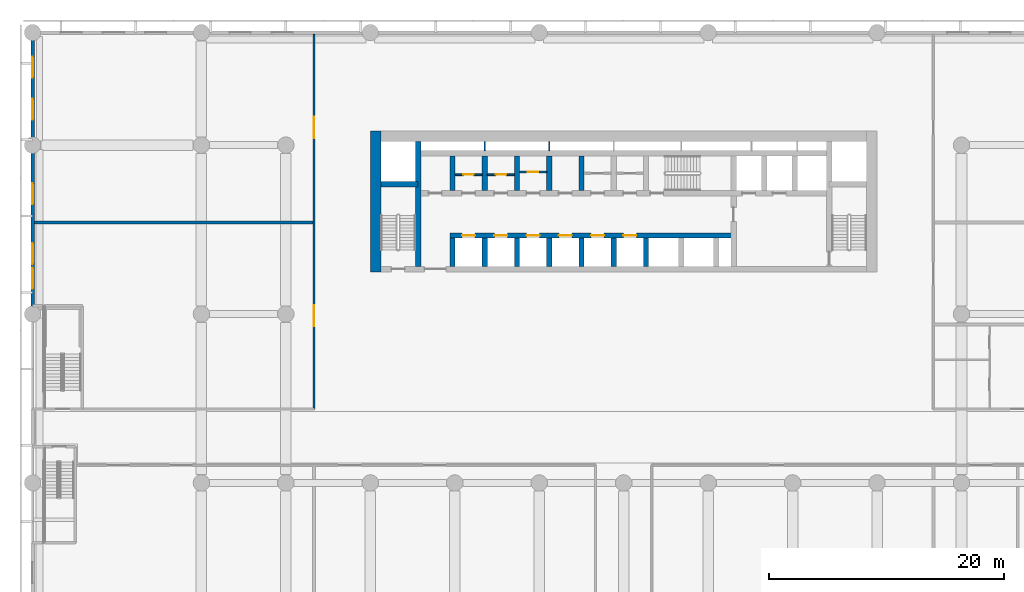
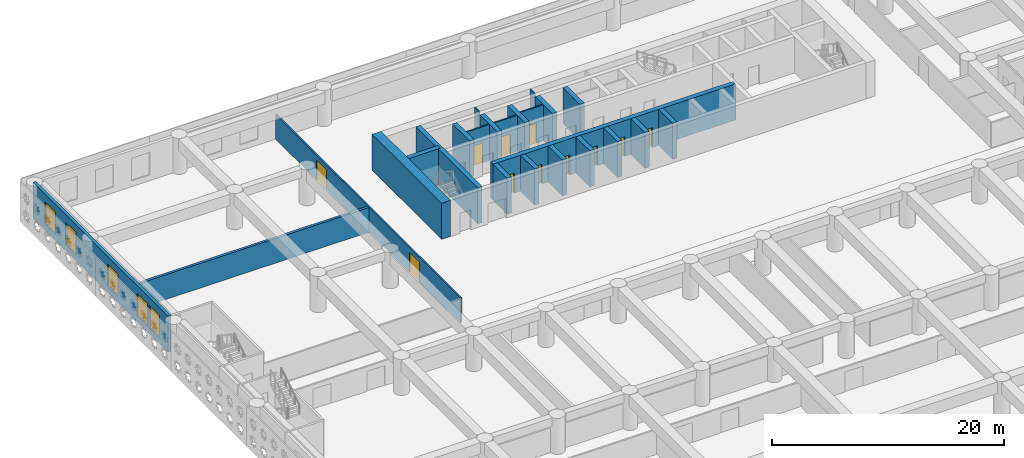
# One storey, part 7 of 24: 24 walls, 11 doors, 5 windows, 16 openings.
"""IFC4 building model written with IfcOpenShell, lengths in metres."""

from ifc_helpers import new_model, si_unit, direction, frame, frame_2d, origin, place, context, subcontext, project, spatial, rectangle, extrude, material, layer, layer_set, type_object, element, fill, save


model = new_model("IFC4")

# Units and contexts
model_context = context("Model", 3, precision=1e-05, world=origin(), true_north=direction((0.0, 1.0)))
body_context = subcontext(model_context, "Body", "Model", "MODEL_VIEW")
ifc_project = project(units=[si_unit("LENGTHUNIT", "METRE"), si_unit("AREAUNIT", "SQUARE_METRE"), si_unit("VOLUMEUNIT", "CUBIC_METRE"), si_unit("PLANEANGLEUNIT", "RADIAN"), si_unit("MASSUNIT", "GRAM", prefix="KILO")], contexts=[model_context])

# Site, building, storey
site_placement = place(None, origin())
site = spatial("IfcSite", under=ifc_project, at=site_placement, CompositionType="ELEMENT")
building_placement = place(site_placement, origin())
building = spatial("IfcBuilding", under=site, at=building_placement, Name="Saffron Iwan Residences", CompositionType="ELEMENT")
storey_placement = place(building_placement, frame((0.0, 0.0, 13.199951171875)))
storey = spatial("IfcBuildingStorey", under=building, at=storey_placement, Name="L02", CompositionType="ELEMENT", Elevation=13.199951171875)

# Wall, openings, doors
ifc_material_1 = material(Name="Concrete blockwork", Category="masonry")
ifc_layer_1 = layer(ifc_material_1, 0.14990234375)
ifc_layer_set_1 = layer_set([ifc_layer_1], Name="Concrete blockwork")
wall_type_1 = type_object("IfcWallType", Name="Blockwork partition 150", PredefinedType="PARTITIONING", material=ifc_layer_set_1)
wall_1_placement = place(storey_placement, frame((24.0, 54.300048828125, 0.0), z_axis=(0.0, 0.0, 1.0), x_axis=(0.0, 1.0, 0.0)))
wall_1 = element("IfcWall", 1, at=wall_1_placement, inside=storey, type_object=wall_type_1, Name="W-L02-029", PredefinedType="PARTITIONING", context=body_context, shape_type="SweptSolid", body=[
    extrude(rectangle(XDim=31.949951171875, YDim=0.14990234375, at=frame_2d((15.97509765625, 0.0))), origin(), (0.0, 0.0, 1.0), 2.60009765625),
])
opening_1_placement = place(wall_1_placement, frame((7.050048828125, 0.0, 0.0)))
opening_1 = element("IfcOpeningElement", 2, at=opening_1_placement, cuts=wall_1, Name="Opening L02.18", PredefinedType="OPENING", context=body_context, shape_type="SweptSolid", body=[
    extrude(rectangle(XDim=1.800048828125, YDim=2.10009765625, at=frame_2d((0.89990234375, 1.050048828125))), frame((0.0, 0.0849609375, 0.0), z_axis=(0.0, -1.0, 0.0), x_axis=(1.0, 0.0, 0.0)), (0.0, 0.0, 1.0), 0.169921875),
])
opening_2_placement = place(wall_1_placement, frame((23.10009765625, 0.0, 0.0)))
opening_2 = element("IfcOpeningElement", 3, at=opening_2_placement, cuts=wall_1, Name="Opening L02.19", PredefinedType="OPENING", context=body_context, shape_type="SweptSolid", body=[
    extrude(rectangle(XDim=1.800048828125, YDim=2.10009765625, at=frame_2d((0.89990234375, 1.050048828125))), frame((0.0, 0.0849609375, 0.0), z_axis=(0.0, -1.0, 0.0), x_axis=(1.0, 0.0, 0.0)), (0.0, 0.0, 1.0), 0.169921875),
])
ifc_material_2 = material(Name="Timber", Category="wood")
door_type_1 = type_object("IfcDoorType", Name="Door 1800x2100", OperationType="DOUBLE_DOOR_SINGLE_SWING", PredefinedType="DOOR", material=ifc_material_2)
door_1_placement = place(opening_1_placement, origin())
door_1 = element("IfcDoor", 4, at=door_1_placement, inside=storey, type_object=door_type_1, Name="D-L02-018", OperationType="DOUBLE_DOOR_SINGLE_SWING", OverallHeight=2.10009765625, OverallWidth=1.800048828125, PredefinedType="DOOR", context=body_context, shape_type="SweptSolid", body=[
    extrude(rectangle(XDim=1.800048828125, YDim=2.10009765625, at=frame_2d((0.89990234375, 1.050048828125))), frame((0.0, 0.02490234375, 0.0), z_axis=(0.0, -1.0, 0.0), x_axis=(1.0, 0.0, 0.0)), (0.0, 0.0, 1.0), 0.050048828125),
])
fill(opening_1, door_1)
door_2_placement = place(opening_2_placement, origin())
door_2 = element("IfcDoor", 5, at=door_2_placement, inside=storey, type_object=door_type_1, Name="D-L02-019", OperationType="DOUBLE_DOOR_SINGLE_SWING", OverallHeight=2.10009765625, OverallWidth=1.800048828125, PredefinedType="DOOR", context=body_context, shape_type="SweptSolid", body=[
    extrude(rectangle(XDim=1.800048828125, YDim=2.10009765625, at=frame_2d((0.89990234375, 1.050048828125))), frame((0.0, 0.02490234375, 0.0), z_axis=(0.0, -1.0, 0.0), x_axis=(1.0, 0.0, 0.0)), (0.0, 0.0, 1.0), 0.050048828125),
])
fill(opening_2, door_2)

# Wall, opening, door
ifc_material_3 = material(Name="Fire-rated plasterboard partition")
ifc_layer_2 = layer(ifc_material_3, 0.14990234375)
ifc_layer_set_2 = layer_set([ifc_layer_2], Name="Fire-rated plasterboard partition")
wall_type_2 = type_object("IfcWallType", Name="Core partition 150", PredefinedType="PARTITIONING", material=ifc_layer_set_2)
wall_2_placement = place(storey_placement, frame((36.02490234375, 74.281982421875, 0.0), z_axis=(0.0, 0.0, 1.0), x_axis=(1.0, 0.0, 0.0)))
wall_2 = element("IfcWall", 6, at=wall_2_placement, inside=storey, type_object=wall_type_2, Name="Core partition P01", PredefinedType="PARTITIONING", context=body_context, shape_type="SweptSolid", body=[
    extrude(rectangle(XDim=2.300048828125, YDim=0.14990234375, at=frame_2d((1.14990234375, 0.0))), origin(), (0.0, 0.0, 1.0), 3.800048828125),
])
opening_3_placement = place(wall_2_placement, frame((0.699951171875, 0.0, 0.0)))
opening_3 = element("IfcOpeningElement", 7, at=opening_3_placement, cuts=wall_2, Name="Opening SB", PredefinedType="OPENING", context=body_context, shape_type="SweptSolid", body=[
    extrude(rectangle(XDim=0.89990234375, YDim=2.10009765625, at=frame_2d((0.449951171875, 1.050048828125))), frame((0.0, 0.0849609375, 0.0), z_axis=(0.0, -1.0, 0.0), x_axis=(1.0, 0.0, 0.0)), (0.0, 0.0, 1.0), 0.169921875),
])
ifc_material_4 = material(Name="Steel fire door", Category="steel")
door_type_2 = type_object("IfcDoorType", Name="Store door 900", OperationType="NOTDEFINED", PredefinedType="DOOR", material=ifc_material_4)
door_3_placement = place(opening_3_placement, origin())
door_3 = element("IfcDoor", 8, at=door_3_placement, inside=storey, type_object=door_type_2, Name="Door Tool store", OperationType="SINGLE_SWING_LEFT", OverallHeight=2.10009765625, OverallWidth=0.89990234375, PredefinedType="DOOR", context=body_context, shape_type="SweptSolid", body=[
    extrude(rectangle(XDim=0.89990234375, YDim=2.10009765625, at=frame_2d((0.449951171875, 1.050048828125))), frame((0.0, 0.02490234375, 0.0), z_axis=(0.0, -1.0, 0.0), x_axis=(1.0, 0.0, 0.0)), (0.0, 0.0, 1.0), 0.050048828125),
])
fill(opening_3, door_3)

wall_3_placement = place(storey_placement, frame((38.77490234375, 74.281982421875, 0.0), z_axis=(0.0, 0.0, 1.0), x_axis=(1.0, 0.0, 0.0)))
wall_3 = element("IfcWall", 9, at=wall_3_placement, inside=storey, type_object=wall_type_2, Name="Core partition P02", PredefinedType="PARTITIONING", context=body_context, shape_type="SweptSolid", body=[
    extrude(rectangle(XDim=2.300048828125, YDim=0.14990234375, at=frame_2d((1.14990234375, 0.0))), origin(), (0.0, 0.0, 1.0), 3.800048828125),
])
opening_4_placement = place(wall_3_placement, frame((0.699951171875, 0.0, 0.0)))
opening_4 = element("IfcOpeningElement", 10, at=opening_4_placement, cuts=wall_3, Name="Opening SB", PredefinedType="OPENING", context=body_context, shape_type="SweptSolid", body=[
    extrude(rectangle(XDim=0.89990234375, YDim=2.10009765625, at=frame_2d((0.449951171875, 1.050048828125))), frame((0.0, 0.0849609375, 0.0), z_axis=(0.0, -1.0, 0.0), x_axis=(1.0, 0.0, 0.0)), (0.0, 0.0, 1.0), 0.169921875),
])
door_4_placement = place(opening_4_placement, origin())
door_4 = element("IfcDoor", 11, at=door_4_placement, inside=storey, type_object=door_type_2, Name="Door Cabling room", OperationType="SINGLE_SWING_RIGHT", OverallHeight=2.10009765625, OverallWidth=0.89990234375, PredefinedType="DOOR", context=body_context, shape_type="SweptSolid", body=[
    extrude(rectangle(XDim=0.89990234375, YDim=2.10009765625, at=frame_2d((0.449951171875, 1.050048828125))), frame((0.0, 0.02490234375, 0.0), z_axis=(0.0, -1.0, 0.0), x_axis=(1.0, 0.0, 0.0)), (0.0, 0.0, 1.0), 0.050048828125),
])
fill(opening_4, door_4)

wall_4_placement = place(storey_placement, frame((41.52490234375, 74.51806640625, 0.0), z_axis=(0.0, 0.0, 1.0), x_axis=(1.0, 0.0, 0.0)))
wall_4 = element("IfcWall", 12, at=wall_4_placement, inside=storey, type_object=wall_type_2, Name="Core partition P03", PredefinedType="PARTITIONING", context=body_context, shape_type="SweptSolid", body=[
    extrude(rectangle(XDim=2.300048828125, YDim=0.14990234375, at=frame_2d((1.14990234375, 0.0))), origin(), (0.0, 0.0, 1.0), 3.800048828125),
])
opening_5_placement = place(wall_4_placement, frame((0.699951171875, 0.0, 0.0)))
opening_5 = element("IfcOpeningElement", 13, at=opening_5_placement, cuts=wall_4, Name="Opening SB", PredefinedType="OPENING", context=body_context, shape_type="SweptSolid", body=[
    extrude(rectangle(XDim=0.89990234375, YDim=2.10009765625, at=frame_2d((0.449951171875, 1.050048828125))), frame((0.0, 0.0849609375, 0.0), z_axis=(0.0, -1.0, 0.0), x_axis=(1.0, 0.0, 0.0)), (0.0, 0.0, 1.0), 0.169921875),
])
door_5_placement = place(opening_5_placement, origin())
door_5 = element("IfcDoor", 14, at=door_5_placement, inside=storey, type_object=door_type_2, Name="Door Equipment store", OperationType="SINGLE_SWING_RIGHT", OverallHeight=2.10009765625, OverallWidth=0.89990234375, PredefinedType="DOOR", context=body_context, shape_type="SweptSolid", body=[
    extrude(rectangle(XDim=0.89990234375, YDim=2.10009765625, at=frame_2d((0.449951171875, 1.050048828125))), frame((0.0, 0.02490234375, 0.0), z_axis=(0.0, -1.0, 0.0), x_axis=(1.0, 0.0, 0.0)), (0.0, 0.0, 1.0), 0.050048828125),
])
fill(opening_5, door_5)

# Wall
ifc_material_5 = material(Name="Concrete C40/50", Category="concrete")
ifc_layer_3 = layer(ifc_material_5, 0.25)
ifc_layer_set_3 = layer_set([ifc_layer_3], Name="Concrete C40/50")
wall_type_3 = type_object("IfcWallType", Name="Fire compartment wall 250", PredefinedType="SOLIDWALL", material=ifc_layer_set_3)
wall_5_placement = place(storey_placement, frame((0.14990234375, 70.199951171875, 0.0), z_axis=(0.0, 0.0, 1.0), x_axis=(1.0, 0.0, 0.0)))
element("IfcWall", 15, at=wall_5_placement, inside=storey, type_object=wall_type_3, Name="W-L02-019", PredefinedType="SOLIDWALL", context=body_context, shape_type="SweptSolid", body=[
    extrude(rectangle(XDim=23.775146484375, YDim=0.25, at=frame_2d((11.8876953125, 0.0))), origin(), (0.0, 0.0, 1.0), 2.60009765625),
])

# Wall, openings, windows
ifc_material_6 = material(Name="Precast concrete C40/50", Category="concrete")
ifc_layer_4 = layer(ifc_material_6, 0.300048828125)
ifc_layer_set_4 = layer_set([ifc_layer_4], Name="Precast concrete C40/50")
wall_type_4 = type_object("IfcWallType", Name="Podium external wall 300", PredefinedType="SOLIDWALL", material=ifc_layer_set_4)
wall_6_placement = place(storey_placement, frame((0.0, 63.10009765625, 0.0), z_axis=(0.0, 0.0, 1.0), x_axis=(0.0, 1.0, 0.0)))
wall_6 = element("IfcWall", 16, at=wall_6_placement, inside=storey, type_object=wall_type_4, Name="W-L02-024", PredefinedType="SOLIDWALL", context=body_context, shape_type="SweptSolid", body=[
    extrude(rectangle(XDim=23.2998046875, YDim=0.300048828125, at=frame_2d((11.64990234375, 0.0))), origin(), (0.0, 0.0, 1.0), 3.800048828125),
])
opening_6_placement = place(wall_6_placement, frame((1.449951171875, 0.0, 0.60009765625)))
opening_6 = element("IfcOpeningElement", 17, at=opening_6_placement, cuts=wall_6, Name="Opening W7", PredefinedType="OPENING", context=body_context, shape_type="SweptSolid", body=[
    extrude(rectangle(XDim=1.800048828125, YDim=2.39990234375, at=frame_2d((0.89990234375, 1.199951171875))), frame((0.0, 0.16015625, 0.0), z_axis=(0.0, -1.0, 0.0), x_axis=(1.0, 0.0, 0.0)), (0.0, 0.0, 1.0), 0.320068359375),
])
opening_7_placement = place(wall_6_placement, frame((3.550048828125, 0.0, 0.60009765625)))
opening_7 = element("IfcOpeningElement", 18, at=opening_7_placement, cuts=wall_6, Name="Opening W7", PredefinedType="OPENING", context=body_context, shape_type="SweptSolid", body=[
    extrude(rectangle(XDim=1.800048828125, YDim=2.39990234375, at=frame_2d((0.89990234375, 1.199951171875))), frame((0.0, 0.16015625, 0.0), z_axis=(0.0, -1.0, 0.0), x_axis=(1.0, 0.0, 0.0)), (0.0, 0.0, 1.0), 0.320068359375),
])
opening_8_placement = place(wall_6_placement, frame((8.64990234375, 0.0, 0.60009765625)))
opening_8 = element("IfcOpeningElement", 19, at=opening_8_placement, cuts=wall_6, Name="Opening W7", PredefinedType="OPENING", context=body_context, shape_type="SweptSolid", body=[
    extrude(rectangle(XDim=1.800048828125, YDim=2.39990234375, at=frame_2d((0.89990234375, 1.199951171875))), frame((0.0, 0.16015625, 0.0), z_axis=(0.0, -1.0, 0.0), x_axis=(1.0, 0.0, 0.0)), (0.0, 0.0, 1.0), 0.320068359375),
])
opening_9_placement = place(wall_6_placement, frame((15.85009765625, 0.0, 0.60009765625)))
opening_9 = element("IfcOpeningElement", 20, at=opening_9_placement, cuts=wall_6, Name="Opening W7", PredefinedType="OPENING", context=body_context, shape_type="SweptSolid", body=[
    extrude(rectangle(XDim=1.800048828125, YDim=2.39990234375, at=frame_2d((0.89990234375, 1.199951171875))), frame((0.0, 0.16015625, 0.0), z_axis=(0.0, -1.0, 0.0), x_axis=(1.0, 0.0, 0.0)), (0.0, 0.0, 1.0), 0.320068359375),
])
opening_10_placement = place(wall_6_placement, frame((19.449951171875, 0.0, 0.60009765625)))
opening_10 = element("IfcOpeningElement", 21, at=opening_10_placement, cuts=wall_6, Name="Opening W7", PredefinedType="OPENING", context=body_context, shape_type="SweptSolid", body=[
    extrude(rectangle(XDim=1.800048828125, YDim=2.39990234375, at=frame_2d((0.89990234375, 1.199951171875))), frame((0.0, 0.16015625, 0.0), z_axis=(0.0, -1.0, 0.0), x_axis=(1.0, 0.0, 0.0)), (0.0, 0.0, 1.0), 0.320068359375),
])
ifc_material_7 = material(Name="Clear glass, laminated double glazed", Category="glass")
window_type = type_object("IfcWindowType", Name="WINDOW 1800 x 2400 PODIUM", PartitioningType="DOUBLE_PANEL_VERTICAL", PredefinedType="WINDOW", material=ifc_material_7)
window_1_placement = place(opening_6_placement, origin())
window_1 = element("IfcWindow", 22, at=window_1_placement, inside=storey, type_object=window_type, Name="Window L02 W-L02-024.0", OverallHeight=2.39990234375, OverallWidth=1.800048828125, PartitioningType="DOUBLE_PANEL_VERTICAL", PredefinedType="WINDOW", context=body_context, shape_type="SweptSolid", body=[
    extrude(rectangle(XDim=1.800048828125, YDim=2.39990234375, at=frame_2d((0.89990234375, 1.199951171875))), frame((0.0, 0.030029296875, 0.0), z_axis=(0.0, -1.0, 0.0), x_axis=(1.0, 0.0, 0.0)), (0.0, 0.0, 1.0), 0.06005859375),
])
fill(opening_6, window_1)
window_2_placement = place(opening_7_placement, origin())
window_2 = element("IfcWindow", 23, at=window_2_placement, inside=storey, type_object=window_type, Name="Window L02 W-L02-024.1", OverallHeight=2.39990234375, OverallWidth=1.800048828125, PartitioningType="DOUBLE_PANEL_VERTICAL", PredefinedType="WINDOW", context=body_context, shape_type="SweptSolid", body=[
    extrude(rectangle(XDim=1.800048828125, YDim=2.39990234375, at=frame_2d((0.89990234375, 1.199951171875))), frame((0.0, 0.030029296875, 0.0), z_axis=(0.0, -1.0, 0.0), x_axis=(1.0, 0.0, 0.0)), (0.0, 0.0, 1.0), 0.06005859375),
])
fill(opening_7, window_2)
window_3_placement = place(opening_8_placement, origin())
window_3 = element("IfcWindow", 24, at=window_3_placement, inside=storey, type_object=window_type, Name="Window L02 W-L02-024.2", OverallHeight=2.39990234375, OverallWidth=1.800048828125, PartitioningType="DOUBLE_PANEL_VERTICAL", PredefinedType="WINDOW", context=body_context, shape_type="SweptSolid", body=[
    extrude(rectangle(XDim=1.800048828125, YDim=2.39990234375, at=frame_2d((0.89990234375, 1.199951171875))), frame((0.0, 0.030029296875, 0.0), z_axis=(0.0, -1.0, 0.0), x_axis=(1.0, 0.0, 0.0)), (0.0, 0.0, 1.0), 0.06005859375),
])
fill(opening_8, window_3)
window_4_placement = place(opening_9_placement, origin())
window_4 = element("IfcWindow", 25, at=window_4_placement, inside=storey, type_object=window_type, Name="Window L02 W-L02-024.3", OverallHeight=2.39990234375, OverallWidth=1.800048828125, PartitioningType="DOUBLE_PANEL_VERTICAL", PredefinedType="WINDOW", context=body_context, shape_type="SweptSolid", body=[
    extrude(rectangle(XDim=1.800048828125, YDim=2.39990234375, at=frame_2d((0.89990234375, 1.199951171875))), frame((0.0, 0.030029296875, 0.0), z_axis=(0.0, -1.0, 0.0), x_axis=(1.0, 0.0, 0.0)), (0.0, 0.0, 1.0), 0.06005859375),
])
fill(opening_9, window_4)
window_5_placement = place(opening_10_placement, origin())
window_5 = element("IfcWindow", 26, at=window_5_placement, inside=storey, type_object=window_type, Name="Window L02 W-L02-024.4", OverallHeight=2.39990234375, OverallWidth=1.800048828125, PartitioningType="DOUBLE_PANEL_VERTICAL", PredefinedType="WINDOW", context=body_context, shape_type="SweptSolid", body=[
    extrude(rectangle(XDim=1.800048828125, YDim=2.39990234375, at=frame_2d((0.89990234375, 1.199951171875))), frame((0.0, 0.030029296875, 0.0), z_axis=(0.0, -1.0, 0.0), x_axis=(1.0, 0.0, 0.0)), (0.0, 0.0, 1.0), 0.06005859375),
])
fill(opening_10, window_5)

# Walls
ifc_layer_5 = layer(ifc_material_3, 0.10009765625)
ifc_layer_set_5 = layer_set([ifc_layer_5], Name="Fire-rated plasterboard partition")
wall_type_5 = type_object("IfcWallType", Name="Riser partition 100", PredefinedType="PARTITIONING", material=ifc_layer_set_5)
for number, where, z_axis, x_axis, name in (
    (27, (38.550048828125, 76.324951171875, 0.0), (0.0, 0.0, 1.0), (0.0, 1.0, 0.0), "Core partition P06"),
    (28, (44.050048828125, 76.324951171875, 0.0), (0.0, 0.0, 1.0), (0.0, 1.0, 0.0), "Core partition P07"),
):
    element("IfcWall", number, at=place(storey_placement, frame(where, z_axis=z_axis, x_axis=x_axis)), inside=storey, type_object=wall_type_5, Name=name, PredefinedType="PARTITIONING", context=body_context, shape_type="SweptSolid", body=[
        extrude(rectangle(XDim=0.775146484375, YDim=0.10009765625, at=frame_2d((0.3876953125, 0.0))), origin(), (0.0, 0.0, 1.0), 3.800048828125),
    ])

# Wall, openings, doors
ifc_material_8 = material(Name="Concrete C60/75", Category="concrete")
ifc_layer_6 = layer(ifc_material_8, 0.449951171875)
ifc_layer_set_6 = layer_set([ifc_layer_6], Name="Concrete C60/75")
wall_type_6 = type_object("IfcWallType", Name="WALL CORE 450 C60/75 3800 HIGH", PredefinedType="SHEAR", material=ifc_layer_set_6)
wall_7_placement = place(storey_placement, frame((35.574951171875, 69.10009765625, 0.0), z_axis=(0.0, 0.0, 1.0), x_axis=(1.0, 0.0, 0.0)))
wall_7 = element("IfcWall", 29, at=wall_7_placement, inside=storey, type_object=wall_type_6, Name="Core wall", PredefinedType="SHEAR", context=body_context, shape_type="SweptSolid", body=[
    extrude(rectangle(XDim=24.199951171875, YDim=0.449951171875, at=frame_2d((12.10009765625, 0.0))), origin(), (0.0, 0.0, 1.0), 3.800048828125),
])
opening_11_placement = place(wall_7_placement, frame((1.050048828125, 0.0, 0.0)))
opening_11 = element("IfcOpeningElement", 30, at=opening_11_placement, cuts=wall_7, Name="Opening LD", PredefinedType="OPENING", context=body_context, shape_type="SweptSolid", body=[
    extrude(rectangle(XDim=1.10009765625, YDim=2.10009765625, at=frame_2d((0.550048828125, 1.050048828125))), frame((0.0, 0.23486328125, 0.0), z_axis=(0.0, -1.0, 0.0), x_axis=(1.0, 0.0, 0.0)), (0.0, 0.0, 1.0), 0.469970703125),
])
opening_12_placement = place(wall_7_placement, frame((3.800048828125, 0.0, 0.0)))
opening_12 = element("IfcOpeningElement", 31, at=opening_12_placement, cuts=wall_7, Name="Opening LD", PredefinedType="OPENING", context=body_context, shape_type="SweptSolid", body=[
    extrude(rectangle(XDim=1.10009765625, YDim=2.10009765625, at=frame_2d((0.550048828125, 1.050048828125))), frame((0.0, 0.23486328125, 0.0), z_axis=(0.0, -1.0, 0.0), x_axis=(1.0, 0.0, 0.0)), (0.0, 0.0, 1.0), 0.469970703125),
])
opening_13_placement = place(wall_7_placement, frame((6.550048828125, 0.0, 0.0)))
opening_13 = element("IfcOpeningElement", 32, at=opening_13_placement, cuts=wall_7, Name="Opening LD", PredefinedType="OPENING", context=body_context, shape_type="SweptSolid", body=[
    extrude(rectangle(XDim=1.10009765625, YDim=2.10009765625, at=frame_2d((0.550048828125, 1.050048828125))), frame((0.0, 0.23486328125, 0.0), z_axis=(0.0, -1.0, 0.0), x_axis=(1.0, 0.0, 0.0)), (0.0, 0.0, 1.0), 0.469970703125),
])
opening_14_placement = place(wall_7_placement, frame((9.300048828125, 0.0, 0.0)))
opening_14 = element("IfcOpeningElement", 33, at=opening_14_placement, cuts=wall_7, Name="Opening LD", PredefinedType="OPENING", context=body_context, shape_type="SweptSolid", body=[
    extrude(rectangle(XDim=1.10009765625, YDim=2.10009765625, at=frame_2d((0.550048828125, 1.050048828125))), frame((0.0, 0.23486328125, 0.0), z_axis=(0.0, -1.0, 0.0), x_axis=(1.0, 0.0, 0.0)), (0.0, 0.0, 1.0), 0.469970703125),
])
opening_15_placement = place(wall_7_placement, frame((12.050048828125, 0.0, 0.0)))
opening_15 = element("IfcOpeningElement", 34, at=opening_15_placement, cuts=wall_7, Name="Opening LD", PredefinedType="OPENING", context=body_context, shape_type="SweptSolid", body=[
    extrude(rectangle(XDim=1.10009765625, YDim=2.10009765625, at=frame_2d((0.550048828125, 1.050048828125))), frame((0.0, 0.23486328125, 0.0), z_axis=(0.0, -1.0, 0.0), x_axis=(1.0, 0.0, 0.0)), (0.0, 0.0, 1.0), 0.469970703125),
])
opening_16_placement = place(wall_7_placement, frame((14.800048828125, 0.0, 0.0)))
opening_16 = element("IfcOpeningElement", 35, at=opening_16_placement, cuts=wall_7, Name="Opening LD", PredefinedType="OPENING", context=body_context, shape_type="SweptSolid", body=[
    extrude(rectangle(XDim=1.10009765625, YDim=2.10009765625, at=frame_2d((0.550048828125, 1.050048828125))), frame((0.0, 0.23486328125, 0.0), z_axis=(0.0, -1.0, 0.0), x_axis=(1.0, 0.0, 0.0)), (0.0, 0.0, 1.0), 0.469970703125),
])
door_type_3 = type_object("IfcDoorType", Name="Lift landing door 1100", OperationType="SLIDING_TO_LEFT", PredefinedType="DOOR", material=ifc_material_4)
door_6_placement = place(opening_11_placement, origin())
door_6 = element("IfcDoor", 36, at=door_6_placement, inside=storey, type_object=door_type_3, Name="Landing doors LR1", OperationType="SLIDING_TO_LEFT", OverallHeight=2.10009765625, OverallWidth=1.10009765625, PredefinedType="DOOR", context=body_context, shape_type="SweptSolid", body=[
    extrude(rectangle(XDim=1.10009765625, YDim=2.10009765625, at=frame_2d((0.550048828125, 1.050048828125))), frame((0.0, 0.02490234375, 0.0), z_axis=(0.0, -1.0, 0.0), x_axis=(1.0, 0.0, 0.0)), (0.0, 0.0, 1.0), 0.050048828125),
])
fill(opening_11, door_6)
door_7_placement = place(opening_12_placement, origin())
door_7 = element("IfcDoor", 37, at=door_7_placement, inside=storey, type_object=door_type_3, Name="Landing doors LR2", OperationType="SLIDING_TO_LEFT", OverallHeight=2.10009765625, OverallWidth=1.10009765625, PredefinedType="DOOR", context=body_context, shape_type="SweptSolid", body=[
    extrude(rectangle(XDim=1.10009765625, YDim=2.10009765625, at=frame_2d((0.550048828125, 1.050048828125))), frame((0.0, 0.02490234375, 0.0), z_axis=(0.0, -1.0, 0.0), x_axis=(1.0, 0.0, 0.0)), (0.0, 0.0, 1.0), 0.050048828125),
])
fill(opening_12, door_7)
door_8_placement = place(opening_13_placement, origin())
door_8 = element("IfcDoor", 38, at=door_8_placement, inside=storey, type_object=door_type_3, Name="Landing doors LR3", OperationType="SLIDING_TO_LEFT", OverallHeight=2.10009765625, OverallWidth=1.10009765625, PredefinedType="DOOR", context=body_context, shape_type="SweptSolid", body=[
    extrude(rectangle(XDim=1.10009765625, YDim=2.10009765625, at=frame_2d((0.550048828125, 1.050048828125))), frame((0.0, 0.02490234375, 0.0), z_axis=(0.0, -1.0, 0.0), x_axis=(1.0, 0.0, 0.0)), (0.0, 0.0, 1.0), 0.050048828125),
])
fill(opening_13, door_8)
door_9_placement = place(opening_14_placement, origin())
door_9 = element("IfcDoor", 39, at=door_9_placement, inside=storey, type_object=door_type_3, Name="Landing doors LR4", OperationType="SLIDING_TO_LEFT", OverallHeight=2.10009765625, OverallWidth=1.10009765625, PredefinedType="DOOR", context=body_context, shape_type="SweptSolid", body=[
    extrude(rectangle(XDim=1.10009765625, YDim=2.10009765625, at=frame_2d((0.550048828125, 1.050048828125))), frame((0.0, 0.02490234375, 0.0), z_axis=(0.0, -1.0, 0.0), x_axis=(1.0, 0.0, 0.0)), (0.0, 0.0, 1.0), 0.050048828125),
])
fill(opening_14, door_9)
door_10_placement = place(opening_15_placement, origin())
door_10 = element("IfcDoor", 40, at=door_10_placement, inside=storey, type_object=door_type_3, Name="Landing doors LR5", OperationType="SLIDING_TO_LEFT", OverallHeight=2.10009765625, OverallWidth=1.10009765625, PredefinedType="DOOR", context=body_context, shape_type="SweptSolid", body=[
    extrude(rectangle(XDim=1.10009765625, YDim=2.10009765625, at=frame_2d((0.550048828125, 1.050048828125))), frame((0.0, 0.02490234375, 0.0), z_axis=(0.0, -1.0, 0.0), x_axis=(1.0, 0.0, 0.0)), (0.0, 0.0, 1.0), 0.050048828125),
])
fill(opening_15, door_10)
door_11_placement = place(opening_16_placement, origin())
door_11 = element("IfcDoor", 41, at=door_11_placement, inside=storey, type_object=door_type_3, Name="Landing doors LR6", OperationType="SLIDING_TO_LEFT", OverallHeight=2.10009765625, OverallWidth=1.10009765625, PredefinedType="DOOR", context=body_context, shape_type="SweptSolid", body=[
    extrude(rectangle(XDim=1.10009765625, YDim=2.10009765625, at=frame_2d((0.550048828125, 1.050048828125))), frame((0.0, 0.02490234375, 0.0), z_axis=(0.0, -1.0, 0.0), x_axis=(1.0, 0.0, 0.0)), (0.0, 0.0, 1.0), 0.050048828125),
])
fill(opening_16, door_11)

# Walls
wall_8_placement = place(storey_placement, frame((29.699951171875, 73.47509765625, 0.0), z_axis=(0.0, 0.0, 1.0), x_axis=(1.0, 0.0, 0.0)))
element("IfcWall", 42, at=wall_8_placement, inside=storey, type_object=wall_type_6, Name="Core wall", PredefinedType="SHEAR", context=body_context, shape_type="SweptSolid", body=[
    extrude(rectangle(XDim=3.175048828125, YDim=0.449951171875, at=frame_2d((1.58740234375, 0.0))), origin(), (0.0, 0.0, 1.0), 3.800048828125),
])
wall_9_placement = place(storey_placement, frame((32.875, 66.449951171875, 0.0), z_axis=(0.0, 0.0, 1.0), x_axis=(0.0, 1.0, 0.0)))
element("IfcWall", 43, at=wall_9_placement, inside=storey, type_object=wall_type_6, Name="Core wall", PredefinedType="SHEAR", context=body_context, shape_type="SweptSolid", body=[
    extrude(rectangle(XDim=10.650146484375, YDim=0.449951171875, at=frame_2d((5.3251953125, 0.0))), origin(), (0.0, 0.0, 1.0), 3.800048828125),
])
for number, where, z_axis, x_axis, name in (
    (44, (35.800048828125, 66.449951171875, 0.0), (0.0, 0.0, 1.0), (0.0, 1.0, 0.0), "Core wall"),
    (45, (38.550048828125, 66.449951171875, 0.0), (0.0, 0.0, 1.0), (0.0, 1.0, 0.0), "Core wall"),
    (46, (41.300048828125, 66.449951171875, 0.0), (0.0, 0.0, 1.0), (0.0, 1.0, 0.0), "Core wall"),
    (47, (44.050048828125, 66.449951171875, 0.0), (0.0, 0.0, 1.0), (0.0, 1.0, 0.0), "Core wall"),
    (48, (46.800048828125, 66.449951171875, 0.0), (0.0, 0.0, 1.0), (0.0, 1.0, 0.0), "Core wall"),
    (49, (49.550048828125, 66.449951171875, 0.0), (0.0, 0.0, 1.0), (0.0, 1.0, 0.0), "Core wall"),
    (50, (52.300048828125, 66.449951171875, 0.0), (0.0, 0.0, 1.0), (0.0, 1.0, 0.0), "Core wall"),
):
    element("IfcWall", number, at=place(storey_placement, frame(where, z_axis=z_axis, x_axis=x_axis)), inside=storey, type_object=wall_type_6, Name=name, PredefinedType="SHEAR", context=body_context, shape_type="SweptSolid", body=[
        extrude(rectangle(XDim=2.425048828125, YDim=0.449951171875, at=frame_2d((1.21240234375, 0.0))), origin(), (0.0, 0.0, 1.0), 3.800048828125),
    ])
for number, where, z_axis, x_axis, name in (
    (51, (35.800048828125, 72.925048828125, 0.0), (0.0, 0.0, 1.0), (0.0, 1.0, 0.0), "Core wall"),
    (52, (38.550048828125, 72.925048828125, 0.0), (0.0, 0.0, 1.0), (0.0, 1.0, 0.0), "Core wall"),
    (53, (41.300048828125, 72.925048828125, 0.0), (0.0, 0.0, 1.0), (0.0, 1.0, 0.0), "Core wall"),
    (54, (44.050048828125, 72.925048828125, 0.0), (0.0, 0.0, 1.0), (0.0, 1.0, 0.0), "Core wall"),
    (55, (46.800048828125, 72.925048828125, 0.0), (0.0, 0.0, 1.0), (0.0, 1.0, 0.0), "Core wall"),
):
    element("IfcWall", number, at=place(storey_placement, frame(where, z_axis=z_axis, x_axis=x_axis)), inside=storey, type_object=wall_type_6, Name=name, PredefinedType="SHEAR", context=body_context, shape_type="SweptSolid", body=[
        extrude(rectangle(XDim=2.949951171875, YDim=0.449951171875, at=frame_2d((1.47509765625, 0.0))), origin(), (0.0, 0.0, 1.0), 3.800048828125),
    ])
ifc_layer_7 = layer(ifc_material_8, 0.89990234375)
ifc_layer_set_7 = layer_set([ifc_layer_7], Name="Concrete C60/75")
wall_type_7 = type_object("IfcWallType", Name="WALL CORE 900 C60/75 3800 HIGH", PredefinedType="SHEAR", material=ifc_layer_set_7)
wall_10_placement = place(storey_placement, frame((29.25, 66.0, 0.0), z_axis=(0.0, 0.0, 1.0), x_axis=(0.0, 1.0, 0.0)))
element("IfcWall", 56, at=wall_10_placement, inside=storey, type_object=wall_type_7, Name="Core wall", PredefinedType="SHEAR", context=body_context, shape_type="SweptSolid", body=[
    extrude(rectangle(XDim=12.0, YDim=0.89990234375, at=frame_2d((6.0, 0.0))), origin(), (0.0, 0.0, 1.0), 3.800048828125),
])

save(model, "model.ifc")
